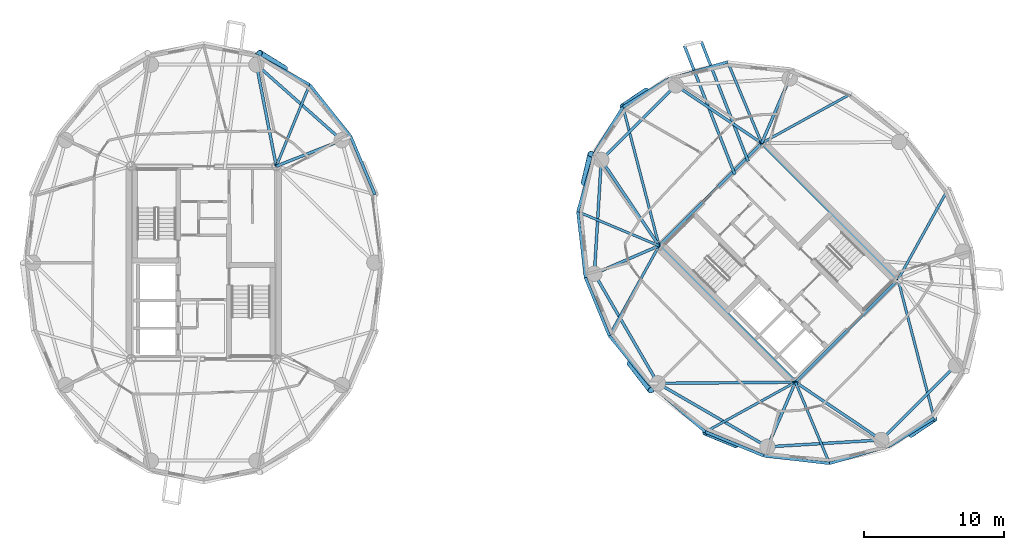
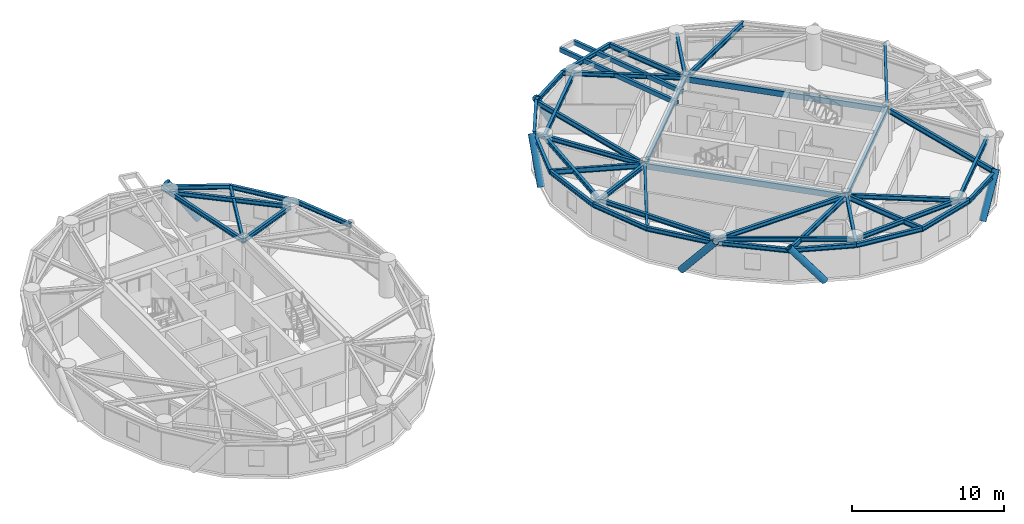
# One storey, part 4 of 16: 47 beams, 6 members.
"""IFC4 building model written with IfcOpenShell, lengths in metres."""

from ifc_helpers import new_model, si_unit, direction, frame, origin, origin_2d, place, context, subcontext, project, spatial, hollow_rectangle, hollow_circle, i_section, extrude, material, material_profile, profile_set, type_object, element, save


model = new_model("IFC4")

# Units and contexts
model_context = context("Model", 3, precision=1e-05, world=origin(), true_north=direction((0.0, 1.0)))
body_context = subcontext(model_context, "Body", "Model", "MODEL_VIEW")
ifc_project = project(units=[si_unit("LENGTHUNIT", "METRE"), si_unit("AREAUNIT", "SQUARE_METRE"), si_unit("VOLUMEUNIT", "CUBIC_METRE"), si_unit("PLANEANGLEUNIT", "RADIAN"), si_unit("MASSUNIT", "GRAM", prefix="KILO")], contexts=[model_context])

# Site, building, storey
site_placement = place(None, origin())
site = spatial("IfcSite", under=ifc_project, at=site_placement, CompositionType="ELEMENT")
building_placement = place(site_placement, origin())
building = spatial("IfcBuilding", under=site, at=building_placement, Name="Cununo Teusaquillo Station Towers", CompositionType="ELEMENT")
storey_placement = place(building_placement, frame((0.0, 0.0, 211.2099609375)))
storey = spatial("IfcBuildingStorey", under=building, at=storey_placement, Name="L67", CompositionType="ELEMENT", Elevation=211.2099609375)

# Beams
ifc_material_1 = material(Name="Steel EN 10025-2 S355J2", Category="steel")
ifc_material_profile_1 = material_profile(ifc_material_1, hollow_rectangle(XDim=0.199951171875, YDim=0.35009765625, WallThickness=0.013916015625, at=origin_2d()), Name="RHS 350x200x14")
ifc_profile_set_1 = profile_set([ifc_material_profile_1], Name="Steel EN 10025-2 S355J2")
beam_type_1 = type_object("IfcBeamType", Name="BM-BAL-CANT", PredefinedType="BEAM", material=ifc_profile_set_1)
beam_1_placement = place(storey_placement, frame((55.329345703125, 31.73388671875, 2.525146484375), z_axis=(-0.364356093101, 0.931259704605, 0.0), x_axis=(-0.931259704605, -0.364356093101, 0.0)))
element("IfcBeam", 1, at=beam_1_placement, inside=storey, type_object=beam_type_1, Name="L67 Tower B Balcony Cantilever Bracket 1A", PredefinedType="BEAM", context=body_context, shape_type="SweptSolid", body=[
    extrude(hollow_rectangle(XDim=0.199951171875, YDim=0.35009765625, WallThickness=0.013916015625, at=origin_2d()), origin(), (0.0, 0.0, 1.0), 9.151123046875),
])
beam_2_placement = place(storey_placement, frame((54.38134765625, 30.785888671875, 2.525146484375), z_axis=(-0.364348965109, 0.931262493406, 0.0), x_axis=(-0.931262493406, -0.364348965109, 0.0)))
element("IfcBeam", 2, at=beam_2_placement, inside=storey, type_object=beam_type_1, Name="L67 Tower B Balcony Cantilever Bracket 1B", PredefinedType="BEAM", context=body_context, shape_type="SweptSolid", body=[
    extrude(hollow_rectangle(XDim=0.199951171875, YDim=0.35009765625, WallThickness=0.013916015625, at=origin_2d()), origin(), (0.0, 0.0, 1.0), 9.8662109375),
])
ifc_material_2 = material(Name="Steel EN 10025-2 S355J2", Category="steel")
ifc_material_profile_2 = material_profile(ifc_material_2, hollow_rectangle(XDim=0.25, YDim=0.449951171875, WallThickness=0.01611328125, at=origin_2d()), Name="RHS 450x250x16")
ifc_profile_set_2 = profile_set([ifc_material_profile_2], Name="Steel EN 10025-2 S355J2")
beam_type_2 = type_object("IfcBeamType", Name="BM-COUP-1", PredefinedType="USERDEFINED", material=ifc_profile_set_2)
for number, where, z_axis, x_axis, name in (
    (3, (58.70556640625, 15.975830078125, 2.47509765625), (-0.707106781187, 0.707106781187, 0.0), (-0.707106781187, -0.707106781187, 0.0), "L67 Tower B Core Beam 1"),
    (4, (66.024169921875, 23.29443359375, 2.47509765625), (-0.707106781187, 0.707106781187, 0.0), (-0.707106781187, -0.707106781187, 0.0), "L67 Tower B Core Beam 2"),
):
    element("IfcBeam", number, at=place(storey_placement, frame(where, z_axis=z_axis, x_axis=x_axis)), inside=storey, type_object=beam_type_2, Name=name, ObjectType="COUPLING BEAM", PredefinedType="USERDEFINED", context=body_context, shape_type="SweptSolid", body=[
        extrude(hollow_rectangle(XDim=0.25, YDim=0.449951171875, WallThickness=0.01611328125, at=origin_2d()), origin(), (0.0, 0.0, 1.0), 13.760009765625),
    ])
ifc_material_3 = material(Name="Steel ASTM A572 Grade 50", Category="steel")
ifc_material_profile_3 = material_profile(ifc_material_3, i_section(OverallWidth=0.180908203125, OverallDepth=0.4169921875, WebThickness=0.010986328125, FlangeThickness=0.018310546875, FilletRadius=0.012939453125, at=origin_2d()), Name="W16X57")
ifc_profile_set_3 = profile_set([ifc_material_profile_3], Name="Steel ASTM A572 Grade 50")
beam_type_3 = type_object("IfcBeamType", Name="BM-JOIST-1", PredefinedType="JOIST", material=ifc_profile_set_3)
beam_3_placement = place(storey_placement, frame((21.675048828125, 31.3798828125, 2.491455078125), z_axis=(0.378576847217, 0.925569862707, 0.0), x_axis=(-0.925569862707, 0.378576847217, 0.0)))
element("IfcBeam", 5, at=beam_3_placement, inside=storey, type_object=beam_type_3, Name="L67 Tower A Radial Spandrel Joist V03", PredefinedType="JOIST", context=body_context, shape_type="SweptSolid", body=[
    extrude(i_section(OverallWidth=0.180908203125, OverallDepth=0.4169921875, WebThickness=0.010986328125, FlangeThickness=0.018310546875, FilletRadius=0.012939453125, at=origin_2d()), origin(), (0.0, 0.0, 1.0), 6.28125),
])
beam_4_placement = place(storey_placement, frame((56.29443359375, 33.024169921875, 2.491455078125), z_axis=(0.8753153358, 0.483552544108, 0.0), x_axis=(-0.483552544108, 0.8753153358, 0.0)))
element("IfcBeam", 6, at=beam_4_placement, inside=storey, type_object=beam_type_3, Name="L67 Tower B Radial Spandrel Joist V01", PredefinedType="JOIST", context=body_context, shape_type="SweptSolid", body=[
    extrude(i_section(OverallWidth=0.180908203125, OverallDepth=0.4169921875, WebThickness=0.010986328125, FlangeThickness=0.018310546875, FilletRadius=0.012939453125, at=origin_2d()), origin(), (0.0, 0.0, 1.0), 7.3330078125),
])
beam_5_placement = place(storey_placement, frame((56.29443359375, 33.024169921875, 2.491455078125), z_axis=(-0.386786389381, 0.922169338565, 0.0), x_axis=(-0.922169338565, -0.386786389381, 0.0)))
element("IfcBeam", 7, at=beam_5_placement, inside=storey, type_object=beam_type_3, Name="L67 Tower B Radial Spandrel Joist V03", PredefinedType="JOIST", context=body_context, shape_type="SweptSolid", body=[
    extrude(i_section(OverallWidth=0.180908203125, OverallDepth=0.4169921875, WebThickness=0.010986328125, FlangeThickness=0.018310546875, FilletRadius=0.012939453125, at=origin_2d()), origin(), (0.0, 0.0, 1.0), 6.281005859375),
])
beam_6_placement = place(storey_placement, frame((48.975830078125, 25.70556640625, 2.491455078125), z_axis=(-0.251559992432, 0.967841707206, 0.0), x_axis=(-0.967841707206, -0.251559992432, 0.0)))
element("IfcBeam", 8, at=beam_6_placement, inside=storey, type_object=beam_type_3, Name="L67 Tower B Radial Spandrel Joist V05", PredefinedType="JOIST", context=body_context, shape_type="SweptSolid", body=[
    extrude(i_section(OverallWidth=0.180908203125, OverallDepth=0.4169921875, WebThickness=0.010986328125, FlangeThickness=0.018310546875, FilletRadius=0.012939453125, at=origin_2d()), origin(), (0.0, 0.0, 1.0), 10.217529296875),
])
beam_7_placement = place(storey_placement, frame((48.975830078125, 25.70556640625, 2.491455078125), z_axis=(-0.922169338565, 0.386786389381, 0.0), x_axis=(-0.386786389381, -0.922169338565, 0.0)))
element("IfcBeam", 9, at=beam_7_placement, inside=storey, type_object=beam_type_3, Name="L67 Tower B Radial Spandrel Joist V07", PredefinedType="JOIST", context=body_context, shape_type="SweptSolid", body=[
    extrude(i_section(OverallWidth=0.180908203125, OverallDepth=0.4169921875, WebThickness=0.010986328125, FlangeThickness=0.018310546875, FilletRadius=0.012939453125, at=origin_2d()), origin(), (0.0, 0.0, 1.0), 6.281005859375),
])
for number, where, z_axis, x_axis, name in (
    (10, (48.975830078125, 25.70556640625, 2.491455078125), (-0.483552544108, -0.8753153358, 0.0), (0.8753153358, -0.483552544108, 0.0), "L67 Tower B Radial Spandrel Joist V09"),
    (11, (58.70556640625, 15.975830078125, 2.491455078125), (-0.8753153358, -0.483552544108, 0.0), (0.483552544108, -0.8753153358, 0.0), "L67 Tower B Radial Spandrel Joist V11"),
):
    element("IfcBeam", number, at=place(storey_placement, frame(where, z_axis=z_axis, x_axis=x_axis)), inside=storey, type_object=beam_type_3, Name=name, PredefinedType="JOIST", context=body_context, shape_type="SweptSolid", body=[
        extrude(i_section(OverallWidth=0.180908203125, OverallDepth=0.4169921875, WebThickness=0.010986328125, FlangeThickness=0.018310546875, FilletRadius=0.012939453125, at=origin_2d()), origin(), (0.0, 0.0, 1.0), 7.3330078125),
    ])
beam_8_placement = place(storey_placement, frame((58.70556640625, 15.975830078125, 2.491455078125), z_axis=(0.386786389381, -0.922169338565, 0.0), x_axis=(0.922169338565, 0.386786389381, 0.0)))
element("IfcBeam", 12, at=beam_8_placement, inside=storey, type_object=beam_type_3, Name="L67 Tower B Radial Spandrel Joist V13", PredefinedType="JOIST", context=body_context, shape_type="SweptSolid", body=[
    extrude(i_section(OverallWidth=0.180908203125, OverallDepth=0.4169921875, WebThickness=0.010986328125, FlangeThickness=0.018310546875, FilletRadius=0.012939453125, at=origin_2d()), origin(), (0.0, 0.0, 1.0), 6.281005859375),
])
beam_9_placement = place(storey_placement, frame((66.024169921875, 23.29443359375, 2.491455078125), z_axis=(0.251559992432, -0.967841707206, 0.0), x_axis=(0.967841707206, 0.251559992432, 0.0)))
element("IfcBeam", 13, at=beam_9_placement, inside=storey, type_object=beam_type_3, Name="L67 Tower B Radial Spandrel Joist V15", PredefinedType="JOIST", context=body_context, shape_type="SweptSolid", body=[
    extrude(i_section(OverallWidth=0.180908203125, OverallDepth=0.4169921875, WebThickness=0.010986328125, FlangeThickness=0.018310546875, FilletRadius=0.012939453125, at=origin_2d()), origin(), (0.0, 0.0, 1.0), 10.217529296875),
])
beam_10_placement = place(storey_placement, frame((66.024169921875, 23.29443359375, 2.491455078125), z_axis=(0.483552544108, 0.8753153358, 0.0), x_axis=(-0.8753153358, 0.483552544108, 0.0)))
element("IfcBeam", 14, at=beam_10_placement, inside=storey, type_object=beam_type_3, Name="L67 Tower B Radial Spandrel Joist V19", PredefinedType="JOIST", context=body_context, shape_type="SweptSolid", body=[
    extrude(i_section(OverallWidth=0.180908203125, OverallDepth=0.4169921875, WebThickness=0.010986328125, FlangeThickness=0.018310546875, FilletRadius=0.012939453125, at=origin_2d()), origin(), (0.0, 0.0, 1.0), 7.3330078125),
])
ifc_material_4 = material(Name="Steel ASTM A572 Grade 50", Category="steel")
ifc_material_profile_4 = material_profile(ifc_material_4, i_section(OverallWidth=0.2041015625, OverallDepth=0.35009765625, WebThickness=0.008544921875, FlangeThickness=0.01513671875, FilletRadius=0.011962890625, at=origin_2d()), Name="W14X48")
ifc_profile_set_4 = profile_set([ifc_material_profile_4], Name="Steel ASTM A572 Grade 50")
beam_type_4 = type_object("IfcBeamType", Name="BM-LINTEL-1", PredefinedType="LINTEL", material=ifc_profile_set_4)
for number, where, z_axis, x_axis, name in (
    (15, (58.70556640625, 15.975830078125, 2.525146484375), (0.707106781187, 0.707106781187, 0.0), (-0.707106781187, 0.707106781187, 0.0), "L67 Tower B Core Beam 3"),
    (16, (48.975830078125, 25.70556640625, 2.525146484375), (0.707106781187, 0.707106781187, 0.0), (-0.707106781187, 0.707106781187, 0.0), "L67 Tower B Core Beam 4"),
):
    element("IfcBeam", number, at=place(storey_placement, frame(where, z_axis=z_axis, x_axis=x_axis)), inside=storey, type_object=beam_type_4, Name=name, PredefinedType="LINTEL", context=body_context, shape_type="SweptSolid", body=[
        extrude(i_section(OverallWidth=0.2041015625, OverallDepth=0.35009765625, WebThickness=0.008544921875, FlangeThickness=0.01513671875, FilletRadius=0.011962890625, at=origin_2d()), origin(), (0.0, 0.0, 1.0), 10.35009765625),
    ])
ifc_material_5 = material(Name="Steel ASTM A572 Grade 50", Category="steel")
ifc_material_profile_5 = material_profile(ifc_material_5, i_section(OverallWidth=0.2041015625, OverallDepth=0.35009765625, WebThickness=0.008544921875, FlangeThickness=0.01513671875, FilletRadius=0.011962890625, at=origin_2d()), Name="W14X48")
ifc_profile_set_5 = profile_set([ifc_material_profile_5], Name="Steel ASTM A572 Grade 50")
beam_type_5 = type_object("IfcBeamType", Name="BM-RAD-G3", PredefinedType="BEAM", material=ifc_profile_set_5)
beam_11_placement = place(storey_placement, frame((21.675048828125, 31.3798828125, 2.525146484375), z_axis=(0.929864104313, 0.367903176814, 0.0), x_axis=(-0.367903176814, 0.929864104313, 0.0)))
element("IfcBeam", 17, at=beam_11_placement, inside=storey, type_object=beam_type_5, Name="L67 Tower A Radial Girder 02A", PredefinedType="BEAM", context=body_context, shape_type="SweptSolid", body=[
    extrude(i_section(OverallWidth=0.2041015625, OverallDepth=0.35009765625, WebThickness=0.008544921875, FlangeThickness=0.01513671875, FilletRadius=0.011962890625, at=origin_2d()), origin(), (0.0, 0.0, 1.0), 5.02490234375),
])
beam_12_placement = place(storey_placement, frame((21.675048828125, 31.3798828125, 2.525146484375), z_axis=(-0.191548487699, 0.981483151593, 0.0), x_axis=(-0.981483151593, -0.191548487699, 0.0)))
element("IfcBeam", 18, at=beam_12_placement, inside=storey, type_object=beam_type_5, Name="L67 Tower A Continuous Overhanging Radial Girder 03", PredefinedType="BEAM", context=body_context, shape_type="SweptSolid", body=[
    extrude(i_section(OverallWidth=0.2041015625, OverallDepth=0.35009765625, WebThickness=0.008544921875, FlangeThickness=0.01513671875, FilletRadius=0.011962890625, at=origin_2d()), origin(), (0.0, 0.0, 1.0), 8.1240234375),
])
beam_13_placement = place(storey_placement, frame((56.29443359375, 33.024169921875, 2.525146484375), z_axis=(0.397346986387, 0.917668443616, 0.0), x_axis=(-0.917668443616, 0.397346986387, 0.0)))
element("IfcBeam", 19, at=beam_13_placement, inside=storey, type_object=beam_type_5, Name="L67 Tower B Radial Girder 02A", PredefinedType="BEAM", context=body_context, shape_type="SweptSolid", body=[
    extrude(i_section(OverallWidth=0.2041015625, OverallDepth=0.35009765625, WebThickness=0.008544921875, FlangeThickness=0.01513671875, FilletRadius=0.011962890625, at=origin_2d()), origin(), (0.0, 0.0, 1.0), 5.02490234375),
])
for number, where, z_axis, x_axis, name in (
    (20, (56.29443359375, 33.024169921875, 2.525146484375), (-0.829456817529, 0.558570844079, 0.0), (-0.558570844079, -0.829456817529, 0.0), "L67 Tower B Continuous Overhanging Radial Girder 03"),
    (21, (48.975830078125, 25.70556640625, 2.525146484375), (-0.558570844079, 0.829456817529, 0.0), (-0.829456817529, -0.558570844079, 0.0), "L67 Tower B Continuous Overhanging Radial Girder 04"),
):
    element("IfcBeam", number, at=place(storey_placement, frame(where, z_axis=z_axis, x_axis=x_axis)), inside=storey, type_object=beam_type_5, Name=name, PredefinedType="BEAM", context=body_context, shape_type="SweptSolid", body=[
        extrude(i_section(OverallWidth=0.2041015625, OverallDepth=0.35009765625, WebThickness=0.008544921875, FlangeThickness=0.01513671875, FilletRadius=0.011962890625, at=origin_2d()), origin(), (0.0, 0.0, 1.0), 8.1240234375),
    ])
beam_14_placement = place(storey_placement, frame((48.975830078125, 25.70556640625, 2.525146484375), z_axis=(-0.917665176837, -0.397354530893, 0.0), x_axis=(0.397354530893, -0.917665176837, 0.0)))
element("IfcBeam", 22, at=beam_14_placement, inside=storey, type_object=beam_type_5, Name="L67 Tower B Continuous Overhanging Radial Girder 05", PredefinedType="BEAM", context=body_context, shape_type="SweptSolid", body=[
    extrude(i_section(OverallWidth=0.2041015625, OverallDepth=0.35009765625, WebThickness=0.008544921875, FlangeThickness=0.01513671875, FilletRadius=0.011962890625, at=origin_2d()), origin(), (0.0, 0.0, 1.0), 5.716552734375),
])
beam_15_placement = place(storey_placement, frame((58.70556640625, 15.975830078125, 2.525146484375), z_axis=(-0.999964431382, -0.008434214327, 0.0), x_axis=(0.008434214327, -0.999964431382, 0.0)))
element("IfcBeam", 23, at=beam_15_placement, inside=storey, type_object=beam_type_5, Name="L67 Tower B Radial Girder 06A", PredefinedType="BEAM", context=body_context, shape_type="SweptSolid", body=[
    extrude(i_section(OverallWidth=0.2041015625, OverallDepth=0.35009765625, WebThickness=0.008544921875, FlangeThickness=0.01513671875, FilletRadius=0.011962890625, at=origin_2d()), origin(), (0.0, 0.0, 1.0), 9.812744140625),
])
beam_16_placement = place(storey_placement, frame((58.70556640625, 15.975830078125, 2.525146484375), z_axis=(-0.397354530893, -0.917665176837, 0.0), x_axis=(0.917665176837, -0.397354530893, 0.0)))
element("IfcBeam", 24, at=beam_16_placement, inside=storey, type_object=beam_type_5, Name="L67 Tower B Continuous Overhanging Radial Girder 07", PredefinedType="BEAM", context=body_context, shape_type="SweptSolid", body=[
    extrude(i_section(OverallWidth=0.2041015625, OverallDepth=0.35009765625, WebThickness=0.008544921875, FlangeThickness=0.01513671875, FilletRadius=0.011962890625, at=origin_2d()), origin(), (0.0, 0.0, 1.0), 5.716552734375),
])
beam_17_placement = place(storey_placement, frame((58.70556640625, 15.975830078125, 2.525146484375), z_axis=(0.829456817529, -0.558570844079, 0.0), x_axis=(0.558570844079, 0.829456817529, 0.0)))
element("IfcBeam", 25, at=beam_17_placement, inside=storey, type_object=beam_type_5, Name="L67 Tower B Continuous Overhanging Radial Girder 08", PredefinedType="BEAM", context=body_context, shape_type="SweptSolid", body=[
    extrude(i_section(OverallWidth=0.2041015625, OverallDepth=0.35009765625, WebThickness=0.008544921875, FlangeThickness=0.01513671875, FilletRadius=0.011962890625, at=origin_2d()), origin(), (0.0, 0.0, 1.0), 8.1240234375),
])
ifc_material_6 = material(Name="Steel ASTM A572 Grade 50", Category="steel")
ifc_material_profile_6 = material_profile(ifc_material_6, i_section(OverallWidth=0.2041015625, OverallDepth=0.35009765625, WebThickness=0.008544921875, FlangeThickness=0.01513671875, FilletRadius=0.011962890625, at=origin_2d()), Name="W14X48")
ifc_profile_set_6 = profile_set([ifc_material_profile_6], Name="Steel ASTM A572 Grade 50")
beam_type_6 = type_object("IfcBeamType", Name="BM-RING-Z4", PredefinedType="SPANDREL", material=ifc_profile_set_6)
beam_18_placement = place(storey_placement, frame((26.347412109375, 33.228515625, 2.525146484375), z_axis=(-0.74832120039, 0.66333655187, 0.0), x_axis=(-0.66333655187, -0.74832120039, 0.0)))
element("IfcBeam", 26, at=beam_18_placement, inside=storey, type_object=beam_type_6, Name="L67 Tower A Structural Column Ring Girder 02", PredefinedType="SPANDREL", context=body_context, shape_type="SweptSolid", body=[
    extrude(i_section(OverallWidth=0.2041015625, OverallDepth=0.35009765625, WebThickness=0.008544921875, FlangeThickness=0.01513671875, FilletRadius=0.011962890625, at=origin_2d()), origin(), (0.0, 0.0, 1.0), 8.1328125),
])
beam_19_placement = place(storey_placement, frame((28.72119140625, 29.348388671875, 2.525146484375), z_axis=(-0.386115454066, 0.922450462698, 0.0), x_axis=(-0.922450462698, -0.386115454066, 0.0)))
element("IfcBeam", 27, at=beam_19_placement, inside=storey, type_object=beam_type_6, Name="L67 Tower A Spandrel Ring Beam 02", PredefinedType="SPANDREL", context=body_context, shape_type="SweptSolid", body=[
    extrude(i_section(OverallWidth=0.2041015625, OverallDepth=0.35009765625, WebThickness=0.008544921875, FlangeThickness=0.01513671875, FilletRadius=0.011962890625, at=origin_2d()), origin(), (0.0, 0.0, 1.0), 4.482421875),
])
beam_20_placement = place(storey_placement, frame((26.990478515625, 33.483154296875, 2.525146484375), z_axis=(-0.620710872531, 0.784039547932, 0.0), x_axis=(-0.784039547932, -0.620710872531, 0.0)))
element("IfcBeam", 28, at=beam_20_placement, inside=storey, type_object=beam_type_6, Name="L67 Tower A Spandrel Ring Beam 03", PredefinedType="SPANDREL", context=body_context, shape_type="SweptSolid", body=[
    extrude(i_section(OverallWidth=0.2041015625, OverallDepth=0.35009765625, WebThickness=0.008544921875, FlangeThickness=0.01513671875, FilletRadius=0.011962890625, at=origin_2d()), origin(), (0.0, 0.0, 1.0), 4.732421875),
])
beam_21_placement = place(storey_placement, frame((24.052978515625, 37.193603515625, 2.525146484375), z_axis=(-0.876576300909, 0.481262910149, 0.0), x_axis=(-0.481262910149, -0.876576300909, 0.0)))
element("IfcBeam", 29, at=beam_21_placement, inside=storey, type_object=beam_type_6, Name="L67 Tower A Spandrel Ring Beam 04", PredefinedType="SPANDREL", context=body_context, shape_type="SweptSolid", body=[
    extrude(i_section(OverallWidth=0.2041015625, OverallDepth=0.35009765625, WebThickness=0.008544921875, FlangeThickness=0.01513671875, FilletRadius=0.011962890625, at=origin_2d()), origin(), (0.0, 0.0, 1.0), 4.488037109375),
])
beam_22_placement = place(storey_placement, frame((50.173095703125, 37.146240234375, 2.525146484375), z_axis=(-0.707106781187, -0.707106781187, 0.0), x_axis=(0.707106781187, -0.707106781187, 0.0)))
element("IfcBeam", 30, at=beam_22_placement, inside=storey, type_object=beam_type_6, Name="L67 Tower B Structural Column Ring Girder 03", PredefinedType="SPANDREL", context=body_context, shape_type="SweptSolid", body=[
    extrude(i_section(OverallWidth=0.2041015625, OverallDepth=0.35009765625, WebThickness=0.008544921875, FlangeThickness=0.01513671875, FilletRadius=0.011962890625, at=origin_2d()), origin(), (0.0, 0.0, 1.0), 7.522705078125),
])
beam_23_placement = place(storey_placement, frame((44.853759765625, 31.826904296875, 2.525146484375), z_axis=(-0.06012979176, -0.998190567048, 0.0), x_axis=(0.998190567048, -0.06012979176, 0.0)))
element("IfcBeam", 31, at=beam_23_placement, inside=storey, type_object=beam_type_6, Name="L67 Tower B Structural Column Ring Girder 04", PredefinedType="SPANDREL", context=body_context, shape_type="SweptSolid", body=[
    extrude(i_section(OverallWidth=0.2041015625, OverallDepth=0.35009765625, WebThickness=0.008544921875, FlangeThickness=0.01513671875, FilletRadius=0.011962890625, at=origin_2d()), origin(), (0.0, 0.0, 1.0), 8.132568359375),
])
for number, where, z_axis, x_axis, name in (
    (32, (44.36474609375, 23.708984375, 2.525146484375), (0.501311121078, -0.865267103202, 0.0), (0.865267103202, 0.501311121078, 0.0), "L67 Tower B Structural Column Ring Girder 05"),
    (33, (48.89306640625, 15.89306640625, 2.525146484375), (0.865267103202, -0.501311121078, 0.0), (0.501311121078, 0.865267103202, 0.0), "L67 Tower B Structural Column Ring Girder 06"),
):
    element("IfcBeam", number, at=place(storey_placement, frame(where, z_axis=z_axis, x_axis=x_axis)), inside=storey, type_object=beam_type_6, Name=name, PredefinedType="SPANDREL", context=body_context, shape_type="SweptSolid", body=[
        extrude(i_section(OverallWidth=0.2041015625, OverallDepth=0.35009765625, WebThickness=0.008544921875, FlangeThickness=0.01513671875, FilletRadius=0.011962890625, at=origin_2d()), origin(), (0.0, 0.0, 1.0), 9.032958984375),
    ])
beam_24_placement = place(storey_placement, frame((56.708984375, 11.36474609375, 2.525146484375), z_axis=(0.998190567048, 0.06012979176, 0.0), x_axis=(-0.06012979176, 0.998190567048, 0.0)))
element("IfcBeam", 34, at=beam_24_placement, inside=storey, type_object=beam_type_6, Name="L67 Tower B Structural Column Ring Girder 07", PredefinedType="SPANDREL", context=body_context, shape_type="SweptSolid", body=[
    extrude(i_section(OverallWidth=0.2041015625, OverallDepth=0.35009765625, WebThickness=0.008544921875, FlangeThickness=0.01513671875, FilletRadius=0.011962890625, at=origin_2d()), origin(), (0.0, 0.0, 1.0), 8.132568359375),
])
beam_25_placement = place(storey_placement, frame((64.826904296875, 11.853759765625, 2.525146484375), z_axis=(0.707106781187, 0.707106781187, 0.0), x_axis=(-0.707106781187, 0.707106781187, 0.0)))
element("IfcBeam", 35, at=beam_25_placement, inside=storey, type_object=beam_type_6, Name="L67 Tower B Structural Column Ring Girder 08", PredefinedType="SPANDREL", context=body_context, shape_type="SweptSolid", body=[
    extrude(i_section(OverallWidth=0.2041015625, OverallDepth=0.35009765625, WebThickness=0.008544921875, FlangeThickness=0.01513671875, FilletRadius=0.011962890625, at=origin_2d()), origin(), (0.0, 0.0, 1.0), 7.522705078125),
])
beam_26_placement = place(storey_placement, frame((53.864990234375, 38.81640625, 2.525146484375), z_axis=(-0.96014487762, -0.279502797802, 0.0), x_axis=(0.279502797802, -0.96014487762, 0.0)))
element("IfcBeam", 36, at=beam_26_placement, inside=storey, type_object=beam_type_6, Name="L67 Tower B Spandrel Ring Beam 04", PredefinedType="SPANDREL", context=body_context, shape_type="SweptSolid", body=[
    extrude(i_section(OverallWidth=0.2041015625, OverallDepth=0.35009765625, WebThickness=0.008544921875, FlangeThickness=0.01513671875, FilletRadius=0.011962890625, at=origin_2d()), origin(), (0.0, 0.0, 1.0), 4.488037109375),
])
for number, where, z_axis, x_axis, name in (
    (37, (49.555908203125, 37.56201171875, 2.525146484375), (-0.848175505099, -0.529715312739, 0.0), (0.529715312739, -0.848175505099, 0.0), "L67 Tower B Spandrel Ring Beam 05"),
    (38, (46.405517578125, 35.594482421875, 2.525146484375), (-0.529715312739, -0.848175505099, 0.0), (0.848175505099, -0.529715312739, 0.0), "L67 Tower B Spandrel Ring Beam 06"),
):
    element("IfcBeam", number, at=place(storey_placement, frame(where, z_axis=z_axis, x_axis=x_axis)), inside=storey, type_object=beam_type_6, Name=name, PredefinedType="SPANDREL", context=body_context, shape_type="SweptSolid", body=[
        extrude(i_section(OverallWidth=0.2041015625, OverallDepth=0.35009765625, WebThickness=0.008544921875, FlangeThickness=0.01513671875, FilletRadius=0.011962890625, at=origin_2d()), origin(), (0.0, 0.0, 1.0), 3.71435546875),
    ])
beam_27_placement = place(storey_placement, frame((44.43798828125, 32.444091796875, 2.525146484375), z_axis=(-0.279502797802, -0.96014487762, 0.0), x_axis=(0.96014487762, -0.279502797802, 0.0)))
element("IfcBeam", 39, at=beam_27_placement, inside=storey, type_object=beam_type_6, Name="L67 Tower B Spandrel Ring Beam 07", PredefinedType="SPANDREL", context=body_context, shape_type="SweptSolid", body=[
    extrude(i_section(OverallWidth=0.2041015625, OverallDepth=0.35009765625, WebThickness=0.008544921875, FlangeThickness=0.01513671875, FilletRadius=0.011962890625, at=origin_2d()), origin(), (0.0, 0.0, 1.0), 4.488037109375),
])
beam_28_placement = place(storey_placement, frame((43.18359375, 28.135009765625, 2.525146484375), z_axis=(0.115452326356, -0.993313022334, 0.0), x_axis=(0.993313022334, 0.115452326356, 0.0)))
element("IfcBeam", 40, at=beam_28_placement, inside=storey, type_object=beam_type_6, Name="L67 Tower B Spandrel Ring Beam 08", PredefinedType="SPANDREL", context=body_context, shape_type="SweptSolid", body=[
    extrude(i_section(OverallWidth=0.2041015625, OverallDepth=0.35009765625, WebThickness=0.008544921875, FlangeThickness=0.01513671875, FilletRadius=0.011962890625, at=origin_2d()), origin(), (0.0, 0.0, 1.0), 4.732666015625),
])
beam_29_placement = place(storey_placement, frame((43.72998046875, 23.43408203125, 2.525146484375), z_axis=(0.379275405388, -0.925283830437, 0.0), x_axis=(0.925283830437, 0.379275405388, 0.0)))
element("IfcBeam", 41, at=beam_29_placement, inside=storey, type_object=beam_type_6, Name="L67 Tower B Spandrel Ring Beam 09", PredefinedType="SPANDREL", context=body_context, shape_type="SweptSolid", body=[
    extrude(i_section(OverallWidth=0.2041015625, OverallDepth=0.35009765625, WebThickness=0.008544921875, FlangeThickness=0.01513671875, FilletRadius=0.011962890625, at=origin_2d()), origin(), (0.0, 0.0, 1.0), 4.482177734375),
])
beam_30_placement = place(storey_placement, frame((45.429931640625, 19.286865234375, 2.525146484375), z_axis=(0.637524682095, -0.770429931739, 0.0), x_axis=(0.770429931739, 0.637524682095, 0.0)))
element("IfcBeam", 42, at=beam_30_placement, inside=storey, type_object=beam_type_6, Name="L67 Tower B Spandrel Ring Beam 10", PredefinedType="SPANDREL", context=body_context, shape_type="SweptSolid", body=[
    extrude(i_section(OverallWidth=0.2041015625, OverallDepth=0.35009765625, WebThickness=0.008544921875, FlangeThickness=0.01513671875, FilletRadius=0.011962890625, at=origin_2d()), origin(), (0.0, 0.0, 1.0), 4.412353515625),
])
beam_31_placement = place(storey_placement, frame((48.242919921875, 15.887451171875, 2.525146484375), z_axis=(0.760065778291, -0.649846145385, 0.0), x_axis=(0.649846145385, 0.760065778291, 0.0)))
element("IfcBeam", 43, at=beam_31_placement, inside=storey, type_object=beam_type_6, Name="L67 Tower B Spandrel Ring Beam 11", PredefinedType="SPANDREL", context=body_context, shape_type="SweptSolid", body=[
    extrude(i_section(OverallWidth=0.2041015625, OverallDepth=0.35009765625, WebThickness=0.008544921875, FlangeThickness=0.01513671875, FilletRadius=0.011962890625, at=origin_2d()), origin(), (0.0, 0.0, 1.0), 5.320556640625),
])
beam_32_placement = place(storey_placement, frame((52.286865234375, 12.429931640625, 2.525146484375), z_axis=(0.925283830437, -0.379275405388, 0.0), x_axis=(0.379275405388, 0.925283830437, 0.0)))
element("IfcBeam", 44, at=beam_32_placement, inside=storey, type_object=beam_type_6, Name="L67 Tower B Spandrel Ring Beam 12", PredefinedType="SPANDREL", context=body_context, shape_type="SweptSolid", body=[
    extrude(i_section(OverallWidth=0.2041015625, OverallDepth=0.35009765625, WebThickness=0.008544921875, FlangeThickness=0.01513671875, FilletRadius=0.011962890625, at=origin_2d()), origin(), (0.0, 0.0, 1.0), 4.482177734375),
])
beam_33_placement = place(storey_placement, frame((56.43408203125, 10.72998046875, 2.525146484375), z_axis=(0.993313022334, -0.115452326356, 0.0), x_axis=(0.115452326356, 0.993313022334, 0.0)))
element("IfcBeam", 45, at=beam_33_placement, inside=storey, type_object=beam_type_6, Name="L67 Tower B Spandrel Ring Beam 13", PredefinedType="SPANDREL", context=body_context, shape_type="SweptSolid", body=[
    extrude(i_section(OverallWidth=0.2041015625, OverallDepth=0.35009765625, WebThickness=0.008544921875, FlangeThickness=0.01513671875, FilletRadius=0.011962890625, at=origin_2d()), origin(), (0.0, 0.0, 1.0), 4.732666015625),
])
beam_34_placement = place(storey_placement, frame((61.135009765625, 10.18359375, 2.525146484375), z_axis=(0.96014487762, 0.279502797802, 0.0), x_axis=(-0.279502797802, 0.96014487762, 0.0)))
element("IfcBeam", 46, at=beam_34_placement, inside=storey, type_object=beam_type_6, Name="L67 Tower B Spandrel Ring Beam 14", PredefinedType="SPANDREL", context=body_context, shape_type="SweptSolid", body=[
    extrude(i_section(OverallWidth=0.2041015625, OverallDepth=0.35009765625, WebThickness=0.008544921875, FlangeThickness=0.01513671875, FilletRadius=0.011962890625, at=origin_2d()), origin(), (0.0, 0.0, 1.0), 4.488037109375),
])
beam_35_placement = place(storey_placement, frame((65.444091796875, 11.43798828125, 2.525146484375), z_axis=(0.848175505099, 0.529715312739, 0.0), x_axis=(-0.529715312739, 0.848175505099, 0.0)))
element("IfcBeam", 47, at=beam_35_placement, inside=storey, type_object=beam_type_6, Name="L67 Tower B Spandrel Ring Beam 15", PredefinedType="SPANDREL", context=body_context, shape_type="SweptSolid", body=[
    extrude(i_section(OverallWidth=0.2041015625, OverallDepth=0.35009765625, WebThickness=0.008544921875, FlangeThickness=0.01513671875, FilletRadius=0.011962890625, at=origin_2d()), origin(), (0.0, 0.0, 1.0), 3.71435546875),
])

# Members
ifc_material_7 = material(Name="Steel EN 10025-2 S355J2", Category="steel")
ifc_material_profile_7 = material_profile(ifc_material_7, hollow_circle(Radius=0.25390625, WallThickness=0.01806640625, at=origin_2d()), Name="CHS 508x18")
ifc_profile_set_7 = profile_set([ifc_material_profile_7], Name="Steel EN 10025-2 S355J2")
member_type = type_object("IfcMemberType", Name="MBR-DIAG-Z4", PredefinedType="BRACE", material=ifc_profile_set_7)
member_1_placement = place(storey_placement, frame((22.261962890625, 38.307861328125, -0.139892578125), z_axis=(-0.498333742466, 0.310032061152, 0.809656471708), x_axis=(-0.528249968439, -0.849088906325, 0.0)))
element("IfcMember", 48, at=member_1_placement, inside=storey, type_object=member_type, Name="L67 Tower A Folded-Zigzag Diagrid Tube C03", PredefinedType="BRACE", context=body_context, shape_type="SweptSolid", body=[
    extrude(hollow_circle(Radius=0.25390625, WallThickness=0.01806640625, at=origin_2d()), origin(), (0.0, 0.0, 1.0), 3.593994140625),
])
member_2_placement = place(storey_placement, frame((48.080810546875, 36.72705078125, -0.139892578125), z_axis=(-0.472769490674, -0.31961201796, 0.821180349657), x_axis=(0.560065734295, -0.828448171746, 0.0)))
element("IfcMember", 49, at=member_2_placement, inside=storey, type_object=member_type, Name="L67 Tower B Folded-Zigzag Diagrid Tube C04", PredefinedType="BRACE", context=body_context, shape_type="SweptSolid", body=[
    extrude(hollow_circle(Radius=0.25390625, WallThickness=0.01806640625, at=origin_2d()), origin(), (0.0, 0.0, 1.0), 3.54345703125),
])
member_3_placement = place(storey_placement, frame((43.662109375, 30.189208984375, -0.139892578125), z_axis=(0.13314050396, 0.571621092256, 0.809643707499), x_axis=(-0.973930772574, 0.226845432471, 0.0)))
element("IfcMember", 50, at=member_3_placement, inside=storey, type_object=member_type, Name="L67 Tower B Folded-Zigzag Diagrid Tube C06", PredefinedType="BRACE", context=body_context, shape_type="SweptSolid", body=[
    extrude(hollow_circle(Radius=0.25390625, WallThickness=0.01806640625, at=origin_2d()), origin(), (0.0, 0.0, 1.0), 3.593994140625),
])
member_4_placement = place(storey_placement, frame((46.921875, 17.35009765625, -0.139892578125), z_axis=(0.392580503034, -0.509500240478, 0.765695797031), x_axis=(0.792129910102, 0.610352525613, 0.0)))
element("IfcMember", 51, at=member_4_placement, inside=storey, type_object=member_type, Name="L67 Tower B Folded-Zigzag Diagrid Tube C09", PredefinedType="BRACE", context=body_context, shape_type="SweptSolid", body=[
    extrude(hollow_circle(Radius=0.25390625, WallThickness=0.01806640625, at=origin_2d()), origin(), (0.0, 0.0, 1.0), 3.80029296875),
])
member_5_placement = place(storey_placement, frame((54.478515625, 11.52880859375, -0.139892578125), z_axis=(-0.584015766292, 0.240125007618, 0.775413157896), x_axis=(-0.380273025704, -0.924874275738, 0.0)))
element("IfcMember", 52, at=member_5_placement, inside=storey, type_object=member_type, Name="L67 Tower B Folded-Zigzag Diagrid Tube C11", PredefinedType="BRACE", context=body_context, shape_type="SweptSolid", body=[
    extrude(hollow_circle(Radius=0.25390625, WallThickness=0.01806640625, at=origin_2d()), origin(), (0.0, 0.0, 1.0), 3.752685546875),
])
member_6_placement = place(storey_placement, frame((66.919189453125, 12.27294921875, -0.139892578125), z_axis=(0.472769490674, 0.31961201796, 0.821180349657), x_axis=(-0.560065734295, 0.828448171746, 0.0)))
element("IfcMember", 53, at=member_6_placement, inside=storey, type_object=member_type, Name="L67 Tower B Folded-Zigzag Diagrid Tube C14", PredefinedType="BRACE", context=body_context, shape_type="SweptSolid", body=[
    extrude(hollow_circle(Radius=0.25390625, WallThickness=0.01806640625, at=origin_2d()), origin(), (0.0, 0.0, 1.0), 3.54345703125),
])

save(model, "model.ifc")
